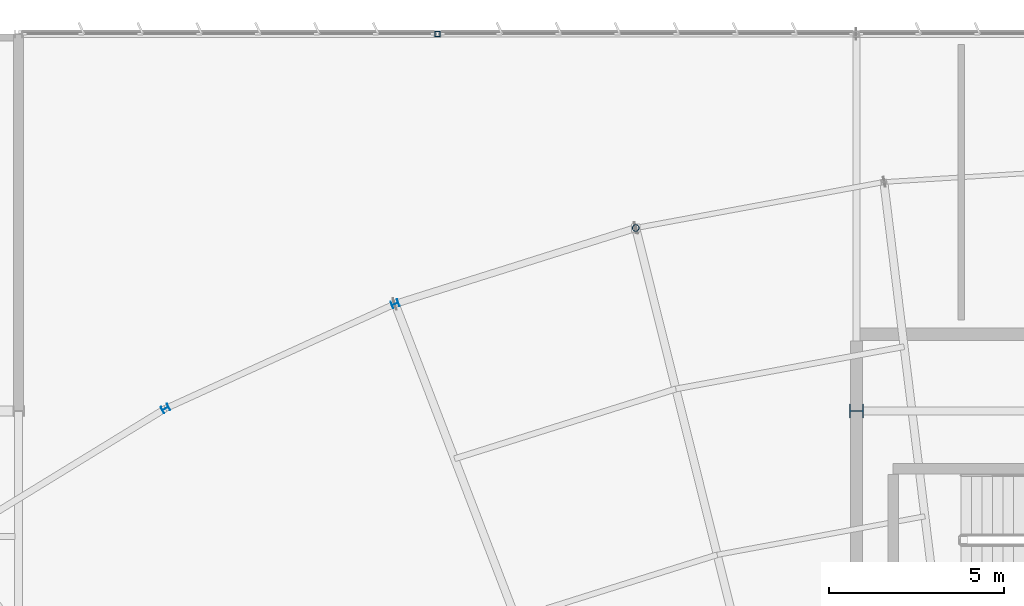
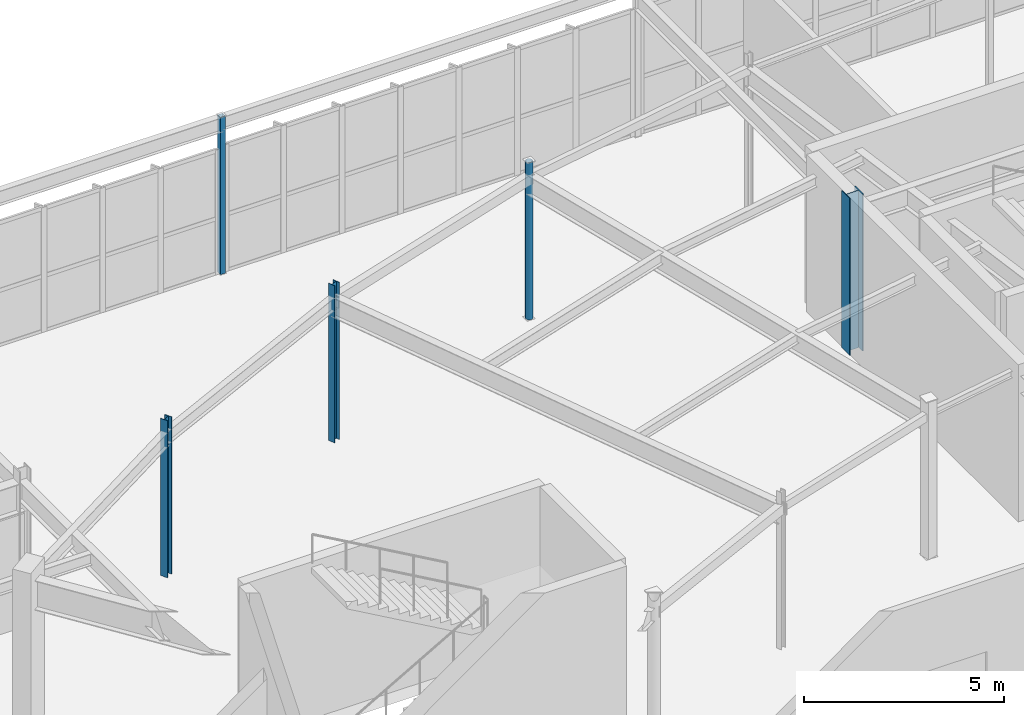
# One storey, part 27 of 186: 5 columns.
"""IFC4 building model written with IfcOpenShell, lengths in metres."""

import ifcopenshell
import ifcopenshell.guid

model = None  # the IFC model being written
_history = None  # IfcOwnerHistory: only IFC2X3 demands one
_inside = {}  # id of a spatial element -> (the spatial element, [elements in it])
_under = {}  # id of a project, library or spatial element -> (it, [spatial elements below it])
_declared = {}  # id of a project -> (the project, [libraries it declares])
_typed = {}  # id of a type object -> (the type object, [elements of that type])
_made_of = {}  # id of a material, layer set ... -> (it, [elements and type objects made of it])


def new_model(schema):
    """Start an empty IFC model of exactly this schema.

    Asked for "IFC4X3", IfcOpenShell would pick the latest addendum, in which some entities
    have other attributes; the version numbers below select the first issue.
    IFC2X3 requires an IfcOwnerHistory on every rooted entity: one is made here for all.
    """
    global model, _history
    if schema == "IFC4X3":
        model = ifcopenshell.file(schema_version=(4, 3, 0, 0))
    else:
        model = ifcopenshell.file(schema=schema)
    _inside.clear()
    _under.clear()
    _declared.clear()
    _typed.clear()
    _made_of.clear()
    _history = None
    if model.schema == "IFC2X3":
        org = make("IfcOrganization", Name="unknown")
        user = make(
            "IfcPersonAndOrganization",
            ThePerson=make("IfcPerson", FamilyName="unknown"),
            TheOrganization=org,
        )
        app = make(
            "IfcApplication",
            ApplicationDeveloper=org,
            Version="unknown",
            ApplicationFullName="unknown",
            ApplicationIdentifier="unknown",
        )
        _history = make(
            "IfcOwnerHistory",
            OwningUser=user,
            OwningApplication=app,
            ChangeAction="ADDED",
            CreationDate=0,
        )
    return model


def make(cls, **values):
    """One entity of the class cls with the attributes given. An attribute that is None is left unset."""
    return model.create_entity(
        cls, **{name: value for name, value in values.items() if value is not None}
    )


def rooted(cls, **values):
    """An entity with a GlobalId (a new one), such as an element, a storey or a relation."""
    return make(cls, GlobalId=ifcopenshell.guid.new(), OwnerHistory=_history, **values)


def si_unit(unit_type, name, prefix=None):
    """IfcSIUnit, for example si_unit("LENGTHUNIT", "METRE", prefix="MILLI")."""
    return make("IfcSIUnit", UnitType=unit_type, Prefix=prefix, Name=name)


def assignment(units):
    """IfcUnitAssignment: the units of a project."""
    return None if units is None else make("IfcUnitAssignment", Units=units)


def point(xyz):
    """IfcCartesianPoint."""
    return None if xyz is None else make("IfcCartesianPoint", Coordinates=xyz)


def direction(xyz):
    """IfcDirection."""
    return None if xyz is None else make("IfcDirection", DirectionRatios=xyz)


def frame(location, z_axis=None, x_axis=None):
    """IfcAxis2Placement3D, a coordinate frame: its origin and axes. An axis left out is left unset."""
    return make(
        "IfcAxis2Placement3D",
        Location=point(location),
        Axis=direction(z_axis),
        RefDirection=direction(x_axis),
    )


def frame_2d(location, x_axis=None):
    """IfcAxis2Placement2D, a coordinate frame in the plane: its origin and x axis."""
    return make(
        "IfcAxis2Placement2D", Location=point(location), RefDirection=direction(x_axis)
    )


def origin():
    """The frame at (0, 0, 0) with its axes left unset."""
    return frame((0.0, 0.0, 0.0))


def origin_2d():
    """The frame at (0, 0) in the plane with its x axis left unset."""
    return frame_2d((0.0, 0.0))


def place(relative_to, where):
    """IfcLocalPlacement: puts the frame where relative to a parent placement (None: the world)."""
    return make(
        "IfcLocalPlacement", PlacementRelTo=relative_to, RelativePlacement=where
    )


def context(
    kind, dimensions, precision=None, world=None, true_north=None, identifier=None
):
    """IfcGeometricRepresentationContext, for example the 3D "Model" context."""
    return make(
        "IfcGeometricRepresentationContext",
        ContextIdentifier=identifier,
        ContextType=kind,
        CoordinateSpaceDimension=dimensions,
        Precision=precision,
        WorldCoordinateSystem=world,
        TrueNorth=true_north,
    )


def subcontext(parent, identifier, kind, view, scale=None):
    """IfcGeometricRepresentationSubContext, for example "Body" below "Model"."""
    return make(
        "IfcGeometricRepresentationSubContext",
        ContextIdentifier=identifier,
        ContextType=kind,
        ParentContext=parent,
        TargetScale=scale,
        TargetView=view,
    )


def project(units=None, contexts=None):
    """IfcProject with its units and contexts."""
    return rooted(
        "IfcProject",
        Name="project",
        RepresentationContexts=contexts,
        UnitsInContext=assignment(units),
    )


def spatial(cls, under=None, at=None, **own):
    """A site, building, storey or space (cls), placed at a placement, below another one or the project."""
    s = rooted(cls, ObjectPlacement=at, **own)
    if under is not None:
        _under.setdefault(under.id(), (under, []))[1].append(s)
    return s


def profile(cls, at=None, kind="AREA", **sizes):
    """A parametric profile (cls). Its sizes go by their IFC names, for example OverallWidth=200.0."""
    return make(cls, ProfileType=kind, Position=at, **sizes)


def hollow_rectangle(**sizes):
    """IfcRectangleHollowProfileDef."""
    return profile("IfcRectangleHollowProfileDef", **sizes)


def hollow_circle(**sizes):
    """IfcCircleHollowProfileDef."""
    return profile("IfcCircleHollowProfileDef", **sizes)


def i_section(**sizes):
    """IfcIShapeProfileDef."""
    return profile("IfcIShapeProfileDef", **sizes)


def extrude(swept, where, along, depth):
    """IfcExtrudedAreaSolid: the profile swept, set in the frame where, extruded along a direction by depth."""
    return make(
        "IfcExtrudedAreaSolid",
        SweptArea=swept,
        Position=where,
        ExtrudedDirection=direction(along),
        Depth=depth,
    )


def shape(context_of_items, identifier, shape_type, items):
    """IfcShapeRepresentation: the items that make up one representation, for example the "Body"."""
    return make(
        "IfcShapeRepresentation",
        ContextOfItems=context_of_items,
        RepresentationIdentifier=identifier,
        RepresentationType=shape_type,
        Items=items,
    )


def material(Name=None, Category=None):
    """IfcMaterial."""
    return make("IfcMaterial", Name=Name, Category=Category)


def material_profile(
    of_material, cross_section, Name=None, Category=None, Priority=None
):
    """IfcMaterialProfile: a cross section and its material."""
    return make(
        "IfcMaterialProfile",
        Name=Name,
        Material=of_material,
        Profile=cross_section,
        Priority=Priority,
        Category=Category,
    )


def profile_set(profiles, Name=None, composite=None):
    """IfcMaterialProfileSet."""
    return make(
        "IfcMaterialProfileSet",
        Name=Name,
        MaterialProfiles=profiles,
        CompositeProfile=composite,
    )


def made_of(thing, what):
    """Note that an element or type object is made of a material, layer set ...; save() writes the relation."""
    if what is not None:
        _made_of.setdefault(what.id(), (what, []))[1].append(thing)
    return thing


def type_object(cls, material=None, **own):
    """A type object (cls), such as IfcWallType, which elements share."""
    return made_of(rooted(cls, **own), material)


def element(
    cls,
    number,
    at=None,
    inside=None,
    cuts=None,
    type_object=None,
    material=None,
    context=None,
    identifier="Body",
    shape_type=None,
    held_by="IfcProductDefinitionShape",
    body=None,
    shapes=None,
    **own,
):
    """One element of the class cls, such as IfcWall. Its Tag is "e" and its number.

    at: its placement. inside: the storey or other place that contains it. cuts: it is an
    opening in that element (IfcRelVoidsElement). A single representation is given by context,
    identifier, shape_type and body (its items); several are given by shapes. held_by: the class
    of the entity that holds the representations. save() writes the other relations.
    """
    e = rooted(cls, Tag="e%d" % number, ObjectPlacement=at, **own)
    if body is not None:
        shapes = [shape(context, identifier, shape_type, body)]
    if shapes is not None:
        e.Representation = make(held_by, Representations=shapes)
    if inside is not None:
        _inside.setdefault(inside.id(), (inside, []))[1].append(e)
    if cuts is not None:
        rooted(
            "IfcRelVoidsElement", RelatingBuildingElement=cuts, RelatedOpeningElement=e
        )
    if type_object is not None:
        _typed.setdefault(type_object.id(), (type_object, []))[1].append(e)
    return made_of(e, material)


def aggregate(whole, parts):
    """IfcRelAggregates: a whole, such as a stair, and the parts it consists of."""
    return rooted("IfcRelAggregates", RelatingObject=whole, RelatedObjects=parts)


def save(model, path):
    """Write the relations noted so far, then the file.

    IfcRelAggregates (storeys below a building ...), IfcRelContainedInSpatialStructure (elements
    in a storey), IfcRelDefinesByType, IfcRelAssociatesMaterial and IfcRelDeclares: one each for
    every whole, place, type object, material and project.
    """
    for whole, parts in _under.values():
        aggregate(whole, parts)
    for where, things in _inside.values():
        rooted(
            "IfcRelContainedInSpatialStructure",
            RelatedElements=things,
            RelatingStructure=where,
        )
    for kind, things in _typed.values():
        rooted("IfcRelDefinesByType", RelatedObjects=things, RelatingType=kind)
    for what, things in _made_of.values():
        rooted("IfcRelAssociatesMaterial", RelatedObjects=things, RelatingMaterial=what)
    for by, libraries in _declared.values():
        rooted("IfcRelDeclares", RelatingContext=by, RelatedDefinitions=libraries)
    model.write(path)


model = new_model("IFC4")

# Units and contexts
model_context = context("Model", 3, precision=1e-05, world=origin(), true_north=direction((0.0, 1.0)))
body_context = subcontext(model_context, "Body", "Model", "MODEL_VIEW")
ifc_project = project(units=[si_unit("LENGTHUNIT", "METRE"), si_unit("AREAUNIT", "SQUARE_METRE"), si_unit("VOLUMEUNIT", "CUBIC_METRE"), si_unit("PLANEANGLEUNIT", "RADIAN"), si_unit("MASSUNIT", "GRAM", prefix="KILO")], contexts=[model_context])

# Site, building, storey
site_placement = place(None, origin())
site = spatial("IfcSite", under=ifc_project, at=site_placement, CompositionType="ELEMENT")
building_placement = place(site_placement, origin())
building = spatial("IfcBuilding", under=site, at=building_placement, Name="Tarnwether General Hospital", CompositionType="ELEMENT")
storey_placement = place(building_placement, frame((0.0, 0.0, 9.60009765625)))
storey = spatial("IfcBuildingStorey", under=building, at=storey_placement, Name="L02", CompositionType="ELEMENT", Elevation=9.60009765625)

# Columns
ifc_material_1 = material(Name="Steel Grade 350 (350 MPa)", Category="steel")
ifc_material_profile_1 = material_profile(ifc_material_1, i_section(OverallWidth=0.39990234375, OverallDepth=0.39990234375, WebThickness=0.02001953125, FlangeThickness=0.028076171875, at=origin_2d()), Name="400WC270")
ifc_profile_set_1 = profile_set([ifc_material_profile_1], Name="Steel Grade 350 (350 MPa)")
column_type_1 = type_object("IfcColumnType", Name="COL-02", PredefinedType="COLUMN", material=ifc_profile_set_1)
column_1_placement = place(storey_placement, frame((84.0, 115.199951171875, 0.0), z_axis=(0.0, 0.0, 1.0), x_axis=(0.0, 1.0, 0.0)))
element("IfcColumn", 1, at=column_1_placement, inside=storey, type_object=column_type_1, Name="Column COLG-L02-8400_11520", PredefinedType="COLUMN", context=body_context, shape_type="SweptSolid", body=[
    extrude(i_section(OverallWidth=0.39990234375, OverallDepth=0.39990234375, WebThickness=0.02001953125, FlangeThickness=0.028076171875, at=origin_2d()), origin(), (0.0, 0.0, 1.0), 4.7998046875),
])
ifc_material_2 = material(Name="Steel Grade 350 (350 MPa)", Category="steel")
ifc_material_profile_2 = material_profile(ifc_material_2, i_section(OverallWidth=0.205078125, OverallDepth=0.2099609375, WebThickness=0.00927734375, FlangeThickness=0.01416015625, at=origin_2d()), Name="200UC59.5")
ifc_profile_set_2 = profile_set([ifc_material_profile_2], Name="Steel Grade 350 (350 MPa)")
column_type_2 = type_object("IfcColumnType", Name="COL-25", PredefinedType="COLUMN", material=ifc_profile_set_2)
column_2_placement = place(storey_placement, frame((64.20703125, 115.27001953125, 0.0), z_axis=(0.0, 0.0, 1.0), x_axis=(-0.469471562786, 0.882947592859, 0.0)))
element("IfcColumn", 2, at=column_2_placement, inside=storey, type_object=column_type_2, Name="Column COLG-L02-6421_11527", PredefinedType="COLUMN", context=body_context, shape_type="SweptSolid", body=[
    extrude(i_section(OverallWidth=0.205078125, OverallDepth=0.2099609375, WebThickness=0.00927734375, FlangeThickness=0.01416015625, at=origin_2d()), origin(), (0.0, 0.0, 1.0), 4.7998046875),
])
ifc_material_3 = material(Name="Steel Grade 350 (350 MPa)", Category="steel")
ifc_material_profile_3 = material_profile(ifc_material_3, i_section(OverallWidth=0.202880859375, OverallDepth=0.202880859375, WebThickness=0.00732421875, FlangeThickness=0.010986328125, at=origin_2d()), Name="200UC46.2")
ifc_profile_set_3 = profile_set([ifc_material_profile_3], Name="Steel Grade 350 (350 MPa)")
column_type_3 = type_object("IfcColumnType", Name="COL-27", PredefinedType="COLUMN", material=ifc_profile_set_3)
column_3_placement = place(storey_placement, frame((70.784912109375, 118.26806640625, 0.0), z_axis=(0.0, 0.0, 1.0), x_axis=(-0.358367949545, 0.933580426497, 0.0)))
element("IfcColumn", 3, at=column_3_placement, inside=storey, type_object=column_type_3, Name="Column COLG-L02-7078_11827", PredefinedType="COLUMN", context=body_context, shape_type="SweptSolid", body=[
    extrude(i_section(OverallWidth=0.202880859375, OverallDepth=0.202880859375, WebThickness=0.00732421875, FlangeThickness=0.010986328125, at=origin_2d()), origin(), (0.0, 0.0, 1.0), 4.7998046875),
])
ifc_material_4 = material(Name="Steel Grade C350L0 (350 MPa)", Category="steel")
ifc_material_profile_4 = material_profile(ifc_material_4, hollow_circle(Radius=0.096923828125, WallThickness=0.008056640625, at=origin_2d()), Name="CHS193.7x8.0")
ifc_profile_set_4 = profile_set([ifc_material_profile_4], Name="Steel Grade C350L0 (350 MPa)")
column_type_4 = type_object("IfcColumnType", Name="COL-29", PredefinedType="COLUMN", material=ifc_profile_set_4)
column_4_placement = place(storey_placement, frame((77.677978515625, 120.44189453125, 0.0), z_axis=(0.0, 0.0, 1.0), x_axis=(-0.2419218956, 0.970295726276, 0.0)))
element("IfcColumn", 4, at=column_4_placement, inside=storey, type_object=column_type_4, Name="Column COLG-L02-7768_12044", PredefinedType="COLUMN", context=body_context, shape_type="SweptSolid", body=[
    extrude(hollow_circle(Radius=0.096923828125, WallThickness=0.008056640625, at=origin_2d()), origin(), (0.0, 0.0, 1.0), 4.7998046875),
])
ifc_material_5 = material(Name="Steel Grade C350L0 (350 MPa)", Category="steel")
ifc_material_profile_5 = material_profile(ifc_material_5, hollow_rectangle(XDim=0.14990234375, YDim=0.14990234375, WallThickness=0.008056640625, at=origin_2d()), Name="SHS150x150x8")
ifc_profile_set_5 = profile_set([ifc_material_profile_5], Name="Steel Grade C350L0 (350 MPa)")
column_type_5 = type_object("IfcColumnType", Name="COL-33", PredefinedType="COLUMN", material=ifc_profile_set_5)
column_5_placement = place(storey_placement, frame((72.0, 126.0, 0.0), z_axis=(0.0, 0.0, 1.0), x_axis=(1.0, 0.0, 0.0)))
element("IfcColumn", 5, at=column_5_placement, inside=storey, type_object=column_type_5, Name="Column COLG-L02-7200_12600", PredefinedType="COLUMN", context=body_context, shape_type="SweptSolid", body=[
    extrude(hollow_rectangle(XDim=0.14990234375, YDim=0.14990234375, WallThickness=0.008056640625, at=origin_2d()), origin(), (0.0, 0.0, 1.0), 4.7998046875),
])

save(model, "model.ifc")
